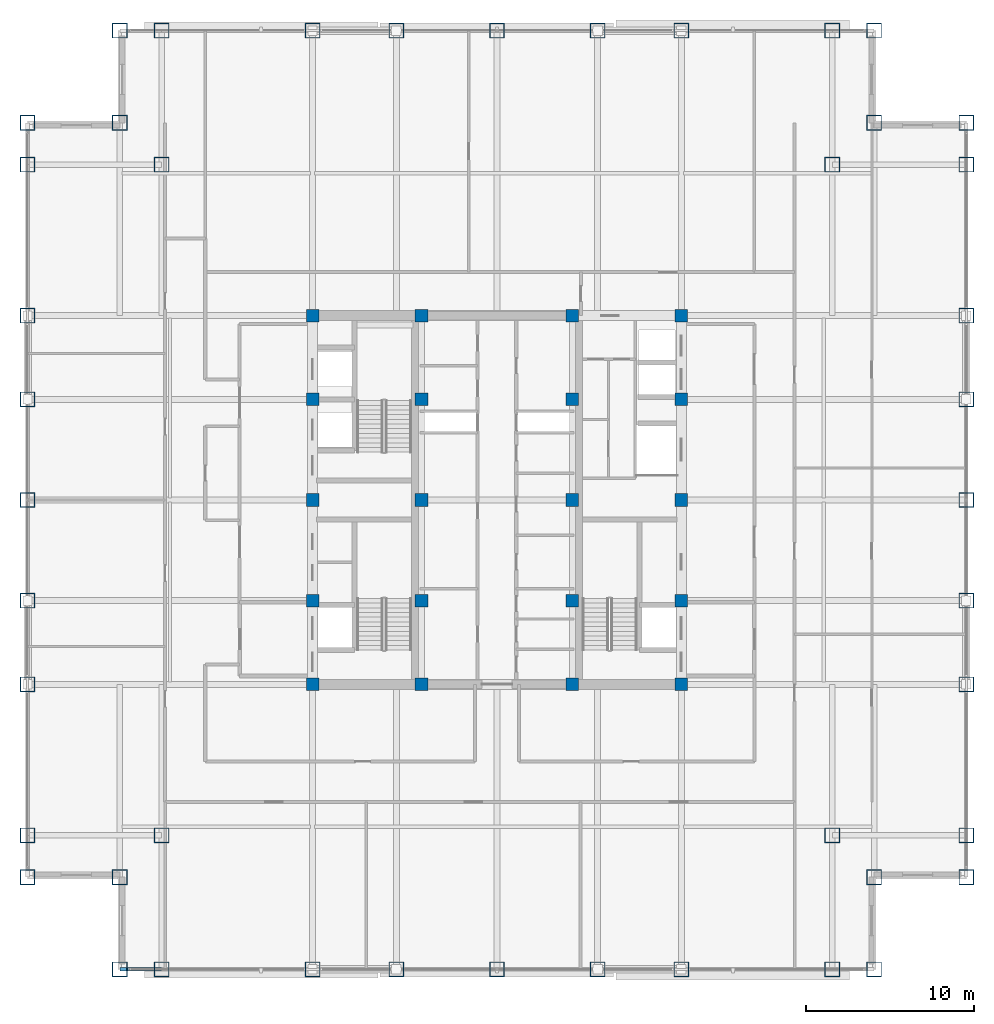
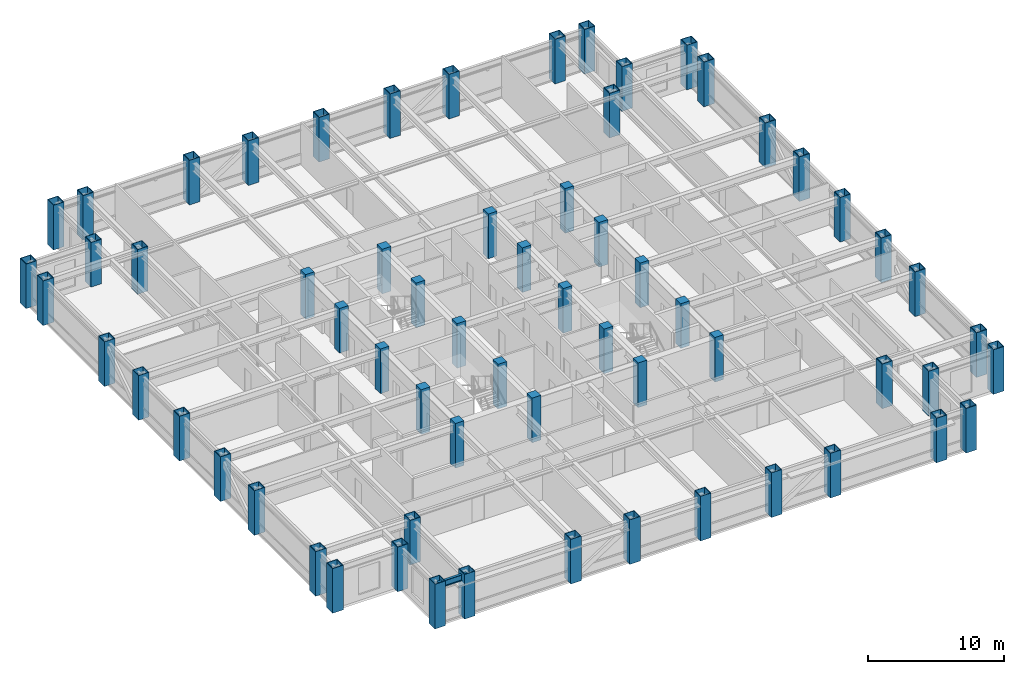
# One storey, part 1 of 27: 64 columns, 1 beam.
"""IFC4 building model written with IfcOpenShell, lengths in metres."""

from ifc_helpers import new_model, si_unit, direction, frame, origin, origin_2d, place, context, subcontext, project, spatial, rectangle, hollow_rectangle, i_section, extrude, source, transform, mapped, material, material_profile, profile_set, type_object, element, save


model = new_model("IFC4")

# Units and contexts
model_context = context("Model", 3, precision=1e-05, world=origin(), true_north=direction((0.0, 1.0)))
body_context = subcontext(model_context, "Body", "Model", "MODEL_VIEW")
ifc_project = project(units=[si_unit("LENGTHUNIT", "METRE"), si_unit("AREAUNIT", "SQUARE_METRE"), si_unit("VOLUMEUNIT", "CUBIC_METRE"), si_unit("PLANEANGLEUNIT", "RADIAN"), si_unit("MASSUNIT", "GRAM", prefix="KILO")], contexts=[model_context])

# Site, building, storey
site_placement = place(None, origin())
site = spatial("IfcSite", under=ifc_project, at=site_placement, CompositionType="ELEMENT")
building_placement = place(site_placement, origin())
building = spatial("IfcBuilding", under=site, at=building_placement, Name="Khorayat Bourse Tower", CompositionType="ELEMENT")
storey_placement = place(building_placement, frame((0.0, 0.0, 317.5)))
storey = spatial("IfcBuildingStorey", under=building, at=storey_placement, Name="L75", CompositionType="ELEMENT", Elevation=317.5)

# Columns
ifc_material_1 = material(Name="Steel EN 10025-4 S460M", Category="steel")
ifc_material_profile_1 = material_profile(ifc_material_1, hollow_rectangle(XDim=0.89990234375, YDim=0.89990234375, WallThickness=0.050048828125, at=origin_2d()), Name="BOX 900x900x50")
ifc_profile_set_1 = profile_set([ifc_material_profile_1], Name="Steel EN 10025-4 S460M")
column_type_1 = type_object("IfcColumnType", Name="COL-TUBE-900", PredefinedType="COLUMN", material=ifc_profile_set_1)
shared_shape_1 = source(origin(), body_context, "Body", "SweptSolid", [
    extrude(hollow_rectangle(XDim=0.89990234375, YDim=0.89990234375, WallThickness=0.050048828125, at=origin_2d()), origin(), (0.0, 0.0, 1.0), 4.0),
])
for number, where, z_axis, x_axis, name in (
    (1, (-28.0, -22.5, 0.0), (0.0, 0.0, 1.0), (1.0, 0.0, 0.0), "L75 Column 001"),
    (2, (-28.0, -20.0, 0.0), (0.0, 0.0, 1.0), (1.0, 0.0, 0.0), "L75 Column 002"),
    (3, (-28.0, -11.0, 0.0), (0.0, 0.0, 1.0), (1.0, 0.0, 0.0), "L75 Column 003"),
    (4, (-28.0, -6.0, 0.0), (0.0, 0.0, 1.0), (1.0, 0.0, 0.0), "L75 Column 004"),
    (5, (-28.0, 0.0, 0.0), (0.0, 0.0, 1.0), (1.0, 0.0, 0.0), "L75 Column 005"),
    (6, (-28.0, 6.0, 0.0), (0.0, 0.0, 1.0), (1.0, 0.0, 0.0), "L75 Column 006"),
    (7, (-28.0, 11.0, 0.0), (0.0, 0.0, 1.0), (1.0, 0.0, 0.0), "L75 Column 007"),
    (8, (-28.0, 20.0, 0.0), (0.0, 0.0, 1.0), (1.0, 0.0, 0.0), "L75 Column 008"),
    (9, (-28.0, 22.5, 0.0), (0.0, 0.0, 1.0), (1.0, 0.0, 0.0), "L75 Column 009"),
    (10, (-22.5, -28.0, 0.0), (0.0, 0.0, 1.0), (1.0, 0.0, 0.0), "L75 Column 010"),
    (11, (-22.5, -22.5, 0.0), (0.0, 0.0, 1.0), (1.0, 0.0, 0.0), "L75 Column 011"),
    (12, (-22.5, 22.5, 0.0), (0.0, 0.0, 1.0), (1.0, 0.0, 0.0), "L75 Column 012"),
    (13, (-22.5, 28.0, 0.0), (0.0, 0.0, 1.0), (1.0, 0.0, 0.0), "L75 Column 013"),
    (14, (-20.0, -28.0, 0.0), (0.0, 0.0, 1.0), (1.0, 0.0, 0.0), "L75 Column 014"),
    (15, (-20.0, -20.0, 0.0), (0.0, 0.0, 1.0), (1.0, 0.0, 0.0), "L75 Column 015"),
    (16, (-20.0, 20.0, 0.0), (0.0, 0.0, 1.0), (1.0, 0.0, 0.0), "L75 Column 016"),
    (17, (-20.0, 28.0, 0.0), (0.0, 0.0, 1.0), (1.0, 0.0, 0.0), "L75 Column 017"),
    (18, (-11.0, -28.0, 0.0), (0.0, 0.0, 1.0), (1.0, 0.0, 0.0), "L75 Column 018"),
    (19, (-11.0, 28.0, 0.0), (0.0, 0.0, 1.0), (1.0, 0.0, 0.0), "L75 Column 024"),
    (20, (-6.0, -28.0, 0.0), (0.0, 0.0, 1.0), (1.0, 0.0, 0.0), "L75 Column 025"),
    (21, (-6.0, 28.0, 0.0), (0.0, 0.0, 1.0), (1.0, 0.0, 0.0), "L75 Column 026"),
    (22, (0.0, -28.0, 0.0), (0.0, 0.0, 1.0), (1.0, 0.0, 0.0), "L75 Column 032"),
    (23, (0.0, 28.0, 0.0), (0.0, 0.0, 1.0), (1.0, 0.0, 0.0), "L75 Column 033"),
    (24, (6.0, -28.0, 0.0), (0.0, 0.0, 1.0), (1.0, 0.0, 0.0), "L75 Column 039"),
    (25, (6.0, 28.0, 0.0), (0.0, 0.0, 1.0), (1.0, 0.0, 0.0), "L75 Column 040"),
    (26, (11.0, -28.0, 0.0), (0.0, 0.0, 1.0), (1.0, 0.0, 0.0), "L75 Column 041"),
    (27, (11.0, 28.0, 0.0), (0.0, 0.0, 1.0), (1.0, 0.0, 0.0), "L75 Column 047"),
    (28, (20.0, -28.0, 0.0), (0.0, 0.0, 1.0), (1.0, 0.0, 0.0), "L75 Column 048"),
    (29, (20.0, -20.0, 0.0), (0.0, 0.0, 1.0), (1.0, 0.0, 0.0), "L75 Column 049"),
    (30, (20.0, 20.0, 0.0), (0.0, 0.0, 1.0), (1.0, 0.0, 0.0), "L75 Column 050"),
    (31, (20.0, 28.0, 0.0), (0.0, 0.0, 1.0), (1.0, 0.0, 0.0), "L75 Column 051"),
    (32, (22.5, -28.0, 0.0), (0.0, 0.0, 1.0), (1.0, 0.0, 0.0), "L75 Column 052"),
    (33, (22.5, -22.5, 0.0), (0.0, 0.0, 1.0), (1.0, 0.0, 0.0), "L75 Column 053"),
    (34, (22.5, 22.5, 0.0), (0.0, 0.0, 1.0), (1.0, 0.0, 0.0), "L75 Column 054"),
    (35, (22.5, 28.0, 0.0), (0.0, 0.0, 1.0), (1.0, 0.0, 0.0), "L75 Column 055"),
    (36, (28.0, -22.5, 0.0), (0.0, 0.0, 1.0), (1.0, 0.0, 0.0), "L75 Column 056"),
    (37, (28.0, -20.0, 0.0), (0.0, 0.0, 1.0), (1.0, 0.0, 0.0), "L75 Column 057"),
    (38, (28.0, -11.0, 0.0), (0.0, 0.0, 1.0), (1.0, 0.0, 0.0), "L75 Column 058"),
    (39, (28.0, -6.0, 0.0), (0.0, 0.0, 1.0), (1.0, 0.0, 0.0), "L75 Column 059"),
    (40, (28.0, 0.0, 0.0), (0.0, 0.0, 1.0), (1.0, 0.0, 0.0), "L75 Column 060"),
    (41, (28.0, 6.0, 0.0), (0.0, 0.0, 1.0), (1.0, 0.0, 0.0), "L75 Column 061"),
    (42, (28.0, 11.0, 0.0), (0.0, 0.0, 1.0), (1.0, 0.0, 0.0), "L75 Column 062"),
    (43, (28.0, 20.0, 0.0), (0.0, 0.0, 1.0), (1.0, 0.0, 0.0), "L75 Column 063"),
    (44, (28.0, 22.5, 0.0), (0.0, 0.0, 1.0), (1.0, 0.0, 0.0), "L75 Column 064"),
):
    element("IfcColumn", number, at=place(storey_placement, frame(where, z_axis=z_axis, x_axis=x_axis)), inside=storey, type_object=column_type_1, Name=name, PredefinedType="COLUMN", context=body_context, shape_type="MappedRepresentation", body=[
        mapped(shared_shape_1, transform((0.0, 0.0, 0.0), scale=1.0)),
    ])
ifc_material_2 = material(Name="Concrete C52/65", Category="concrete")
ifc_material_profile_2 = material_profile(ifc_material_2, rectangle(XDim=0.75, YDim=0.75, at=origin_2d()), Name="RC 750x750")
ifc_profile_set_2 = profile_set([ifc_material_profile_2], Name="Concrete C52/65")
column_type_2 = type_object("IfcColumnType", Name="COL-CORE-750", PredefinedType="COLUMN", material=ifc_profile_set_2)
shared_shape_2 = source(origin(), body_context, "Body", "SweptSolid", [
    extrude(rectangle(XDim=0.75, YDim=0.75, at=origin_2d()), origin(), (0.0, 0.0, 1.0), 4.0),
])
for number, where, z_axis, x_axis, name in (
    (45, (-11.0, -11.0, 0.0), (0.0, 0.0, 1.0), (1.0, 0.0, 0.0), "L75 Column 019"),
    (46, (-11.0, -6.0, 0.0), (0.0, 0.0, 1.0), (1.0, 0.0, 0.0), "L75 Column 020"),
    (47, (-11.0, 0.0, 0.0), (0.0, 0.0, 1.0), (1.0, 0.0, 0.0), "L75 Column 021"),
    (48, (-11.0, 6.0, 0.0), (0.0, 0.0, 1.0), (1.0, 0.0, 0.0), "L75 Column 022"),
    (49, (-11.0, 11.0, 0.0), (0.0, 0.0, 1.0), (1.0, 0.0, 0.0), "L75 Column 023"),
    (50, (-4.5, -11.0, 0.0), (0.0, 0.0, 1.0), (1.0, 0.0, 0.0), "L75 Column 027"),
    (51, (-4.5, -6.0, 0.0), (0.0, 0.0, 1.0), (1.0, 0.0, 0.0), "L75 Column 028"),
    (52, (-4.5, 0.0, 0.0), (0.0, 0.0, 1.0), (1.0, 0.0, 0.0), "L75 Column 029"),
    (53, (-4.5, 6.0, 0.0), (0.0, 0.0, 1.0), (1.0, 0.0, 0.0), "L75 Column 030"),
    (54, (-4.5, 11.0, 0.0), (0.0, 0.0, 1.0), (1.0, 0.0, 0.0), "L75 Column 031"),
    (55, (4.5, -11.0, 0.0), (0.0, 0.0, 1.0), (1.0, 0.0, 0.0), "L75 Column 034"),
    (56, (4.5, -6.0, 0.0), (0.0, 0.0, 1.0), (1.0, 0.0, 0.0), "L75 Column 035"),
    (57, (4.5, 0.0, 0.0), (0.0, 0.0, 1.0), (1.0, 0.0, 0.0), "L75 Column 036"),
    (58, (4.5, 6.0, 0.0), (0.0, 0.0, 1.0), (1.0, 0.0, 0.0), "L75 Column 037"),
    (59, (4.5, 11.0, 0.0), (0.0, 0.0, 1.0), (1.0, 0.0, 0.0), "L75 Column 038"),
    (60, (11.0, -11.0, 0.0), (0.0, 0.0, 1.0), (1.0, 0.0, 0.0), "L75 Column 042"),
    (61, (11.0, -6.0, 0.0), (0.0, 0.0, 1.0), (1.0, 0.0, 0.0), "L75 Column 043"),
    (62, (11.0, 0.0, 0.0), (0.0, 0.0, 1.0), (1.0, 0.0, 0.0), "L75 Column 044"),
    (63, (11.0, 6.0, 0.0), (0.0, 0.0, 1.0), (1.0, 0.0, 0.0), "L75 Column 045"),
    (64, (11.0, 11.0, 0.0), (0.0, 0.0, 1.0), (1.0, 0.0, 0.0), "L75 Column 046"),
):
    element("IfcColumn", number, at=place(storey_placement, frame(where, z_axis=z_axis, x_axis=x_axis)), inside=storey, type_object=column_type_2, Name=name, PredefinedType="COLUMN", context=body_context, shape_type="MappedRepresentation", body=[
        mapped(shared_shape_2, transform((0.0, 0.0, 0.0), scale=1.0)),
    ])

# Beam
ifc_material_3 = material(Name="Steel ASTM A992 Grade 50", Category="steel")
ifc_material_profile_3 = material_profile(ifc_material_3, i_section(OverallWidth=0.214111328125, OverallDepth=0.549072265625, WebThickness=0.0146484375, FlangeThickness=0.023681640625, FilletRadius=0.013916015625, at=origin_2d()), Name="W530X138")
ifc_profile_set_3 = profile_set([ifc_material_profile_3], Name="Steel ASTM A992 Grade 50")
beam_type = type_object("IfcBeamType", Name="BM-SPAN-530", PredefinedType="SPANDREL", material=ifc_profile_set_3)
shared_shape_3 = source(origin(), body_context, "Body", "SweptSolid", [
    extrude(i_section(OverallWidth=0.214111328125, OverallDepth=0.549072265625, WebThickness=0.0146484375, FlangeThickness=0.023681640625, FilletRadius=0.013916015625, at=origin_2d()), origin(), (0.0, 0.0, 1.0), 2.5),
])
beam_placement = place(storey_placement, frame((-22.5, -28.0, 3.505615234375), z_axis=(1.0, 0.0, 0.0), x_axis=(0.0, 1.0, 0.0)))
element("IfcBeam", 65, at=beam_placement, inside=storey, type_object=beam_type, Name="L75 BM-SPAN-530 BM-L75-SPN-024", PredefinedType="SPANDREL", context=body_context, shape_type="MappedRepresentation", body=[
    mapped(shared_shape_3, transform((0.0, 0.0, 0.0), scale=1.0)),
])

save(model, "model.ifc")
